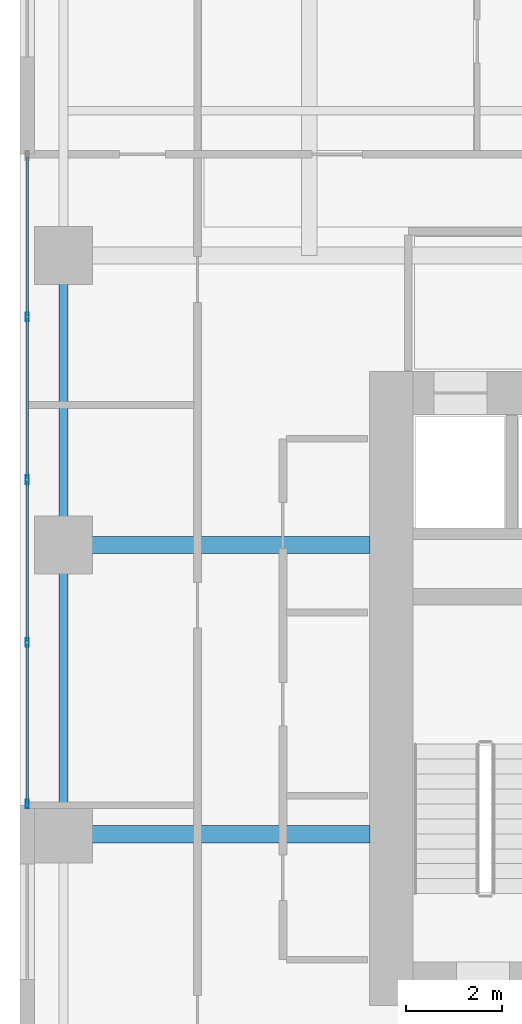
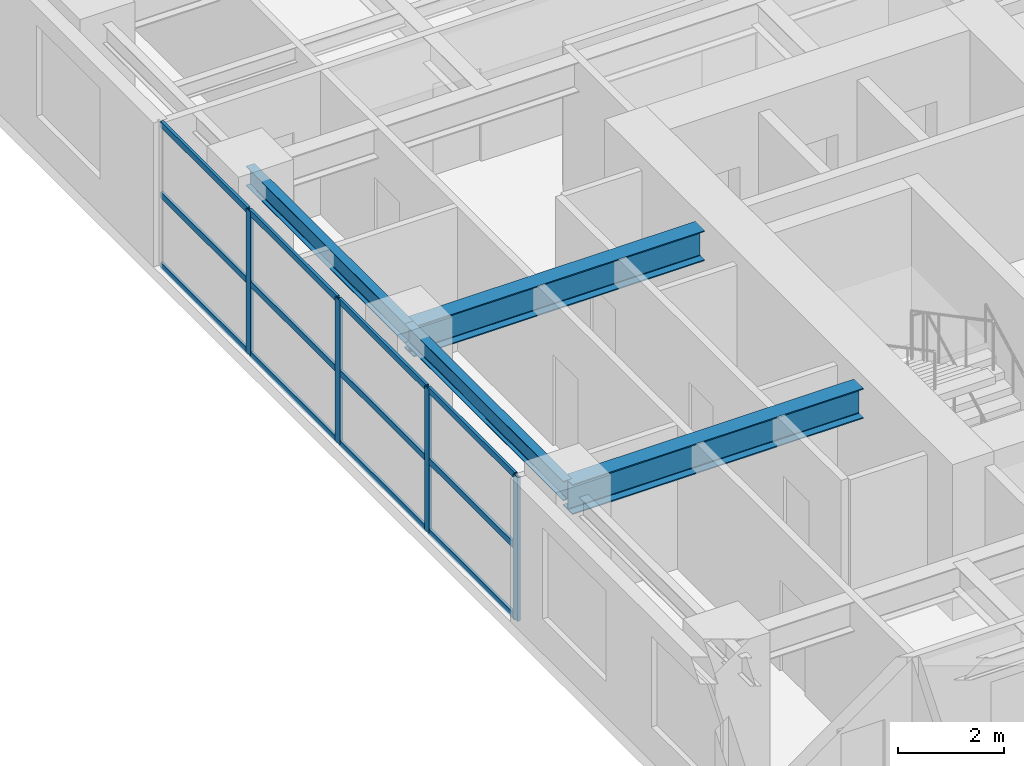
# One storey, part 2 of 19: 16 members, 4 beams, 1 element without a shape of its own.
"""IFC4 building model written with IfcOpenShell, lengths in metres."""

from ifc_helpers import new_model, si_unit, direction, frame, origin, origin_2d, place, context, subcontext, project, spatial, hollow_rectangle, i_section, extrude, source, transform, mapped, material, layer, layer_set, material_profile, profile_set, type_object, element, aggregate, save


model = new_model("IFC4")

# Units and contexts
model_context = context("Model", 3, precision=1e-05, world=origin(), true_north=direction((0.0, 1.0)))
body_context = subcontext(model_context, "Body", "Model", "MODEL_VIEW")
ifc_project = project(units=[si_unit("LENGTHUNIT", "METRE"), si_unit("AREAUNIT", "SQUARE_METRE"), si_unit("VOLUMEUNIT", "CUBIC_METRE"), si_unit("PLANEANGLEUNIT", "RADIAN"), si_unit("MASSUNIT", "GRAM", prefix="KILO")], contexts=[model_context])

# Site, building, storey
site_placement = place(None, origin())
site = spatial("IfcSite", under=ifc_project, at=site_placement, CompositionType="ELEMENT")
building_placement = place(site_placement, origin())
building = spatial("IfcBuilding", under=site, at=building_placement, Name="Khoralis Quay Care Tower", CompositionType="ELEMENT")
storey_placement = place(building_placement, frame((0.0, 0.0, 69.300048828125)))
storey = spatial("IfcBuildingStorey", under=building, at=storey_placement, Name="L18", CompositionType="ELEMENT", Elevation=69.300048828125)

# Beams
ifc_material_1 = material(Name="Steel S355", Category="steel")
ifc_material_profile_1 = material_profile(ifc_material_1, i_section(OverallWidth=0.18994140625, OverallDepth=0.449951171875, WebThickness=0.009521484375, FlangeThickness=0.0146484375, FilletRadius=0.02099609375, at=origin_2d()), Name="Steel S355")
ifc_profile_set_1 = profile_set([ifc_material_profile_1], Name="Steel S355")
beam_type_1 = type_object("IfcBeamType", Name="BM-IPE450", PredefinedType="SPANDREL", material=ifc_profile_set_1)
shared_shape_1 = source(origin(), body_context, "Body", "SweptSolid", [
    extrude(i_section(OverallWidth=0.18994140625, OverallDepth=0.449951171875, WebThickness=0.009521484375, FlangeThickness=0.0146484375, FilletRadius=0.02099609375, at=origin_2d()), origin(), (0.0, 0.0, 1.0), 6.0),
])
for number, where, z_axis, x_axis, name in (
    (1, (0.89990234375, 18.0, 3.094970703125), (0.0, 1.0, 0.0), (-1.0, 0.0, 0.0), "BM-TSP-L18-15"),
    (2, (0.89990234375, 24.0, 3.094970703125), (0.0, 1.0, 0.0), (-1.0, 0.0, 0.0), "BM-TSP-L18-16"),
):
    element("IfcBeam", number, at=place(storey_placement, frame(where, z_axis=z_axis, x_axis=x_axis)), inside=storey, type_object=beam_type_1, Name=name, PredefinedType="SPANDREL", context=body_context, shape_type="MappedRepresentation", body=[
        mapped(shared_shape_1, transform((0.0, 0.0, 0.0), scale=1.0)),
    ])
ifc_material_profile_2 = material_profile(ifc_material_1, i_section(OverallWidth=0.35498046875, OverallDepth=0.695068359375, WebThickness=0.015380859375, FlangeThickness=0.02490234375, FilletRadius=0.02001953125, at=origin_2d()), Name="Steel S355")
ifc_profile_set_2 = profile_set([ifc_material_profile_2], Name="Steel S355")
beam_type_2 = type_object("IfcBeamType", Name="BM-W690X217", PredefinedType="BEAM", material=ifc_profile_set_2)
shared_shape_2 = source(origin(), body_context, "Body", "SweptSolid", [
    extrude(i_section(OverallWidth=0.35498046875, OverallDepth=0.695068359375, WebThickness=0.015380859375, FlangeThickness=0.02490234375, FilletRadius=0.02001953125, at=origin_2d()), origin(), (0.0, 0.0, 1.0), 6.35205078125),
])
for number, where, z_axis, x_axis, name in (
    (3, (0.89990234375, 18.0, 2.972412109375), (1.0, 0.0, 0.0), (0.0, 1.0, 0.0), "BM-TGXW-L18-180"),
    (4, (0.89990234375, 24.0, 2.972412109375), (1.0, 0.0, 0.0), (0.0, 1.0, 0.0), "BM-TGXW-L18-240"),
):
    element("IfcBeam", number, at=place(storey_placement, frame(where, z_axis=z_axis, x_axis=x_axis)), inside=storey, type_object=beam_type_2, Name=name, PredefinedType="BEAM", context=body_context, shape_type="MappedRepresentation", body=[
        mapped(shared_shape_2, transform((0.0, 0.0, 0.0), scale=1.0)),
    ])

# Curtain wall, members
ifc_material_2 = material(Name="Pale anodised aluminium", Category="aluminium")
ifc_layer = layer(ifc_material_2, 0.179931640625)
ifc_layer_set = layer_set([ifc_layer], Name="Pale anodised aluminium")
curtain_wall_type = type_object("IfcCurtainWallType", Name="CW-SYS-Z1", PredefinedType="NOTDEFINED", material=ifc_layer_set)
curtain_wall_placement = place(storey_placement, origin())
curtain_wall = element("IfcCurtainWall", 5, at=curtain_wall_placement, inside=storey, type_object=curtain_wall_type, Name="L18 Unitised Curtain Wall CW-L18-P1-E15", PredefinedType="NOTDEFINED")
ifc_material_profile_3 = material_profile(ifc_material_2, hollow_rectangle(XDim=0.06494140625, YDim=0.179931640625, WallThickness=0.00390625, at=origin_2d()), Name="Pale anodised aluminium")
ifc_profile_set_3 = profile_set([ifc_material_profile_3], Name="Pale anodised aluminium")
member_type_1 = type_object("IfcMemberType", Name="CW-MUL-180", PredefinedType="MULLION", material=ifc_profile_set_3)
shared_shape_3 = source(origin(), body_context, "Body", "SweptSolid", [
    extrude(hollow_rectangle(XDim=0.06494140625, YDim=0.179931640625, WallThickness=0.00390625, at=origin_2d()), origin(), (0.0, 0.0, 1.0), 3.320068359375),
])
member_1_placement = place(storey_placement, frame((0.14990234375, 28.72509765625, 0.0), z_axis=(0.0, 0.0, 1.0), x_axis=(1.0, 0.0, 0.0)))
member_1 = element("IfcMember", 6, at=member_1_placement, type_object=member_type_1, Name="CW1 mullion 2", PredefinedType="MULLION", context=body_context, shape_type="MappedRepresentation", body=[
    mapped(shared_shape_3, transform((0.0, 0.0, 0.0), scale=1.0)),
])
member_2_placement = place(storey_placement, frame((0.14990234375, 25.35009765625, 0.0), z_axis=(0.0, 0.0, 1.0), x_axis=(1.0, 0.0, 0.0)))
member_2 = element("IfcMember", 7, at=member_2_placement, type_object=member_type_1, Name="CW1 mullion 3", PredefinedType="MULLION", context=body_context, shape_type="MappedRepresentation", body=[
    mapped(shared_shape_3, transform((0.0, 0.0, 0.0), scale=1.0)),
])
member_3_placement = place(storey_placement, frame((0.14990234375, 21.97509765625, 0.0), z_axis=(0.0, 0.0, 1.0), x_axis=(1.0, 0.0, 0.0)))
member_3 = element("IfcMember", 8, at=member_3_placement, type_object=member_type_1, Name="CW1 mullion 4", PredefinedType="MULLION", context=body_context, shape_type="MappedRepresentation", body=[
    mapped(shared_shape_3, transform((0.0, 0.0, 0.0), scale=1.0)),
])
member_4_placement = place(storey_placement, frame((0.14990234375, 18.6298828125, 0.0), z_axis=(0.0, 0.0, 1.0), x_axis=(1.0, 0.0, 0.0)))
member_4 = element("IfcMember", 9, at=member_4_placement, type_object=member_type_1, Name="CW1 mullion 5", PredefinedType="MULLION", context=body_context, shape_type="MappedRepresentation", body=[
    mapped(shared_shape_3, transform((0.0, 0.0, 0.0), scale=1.0)),
])
ifc_material_profile_4 = material_profile(ifc_material_2, hollow_rectangle(XDim=0.06005859375, YDim=0.139892578125, WallThickness=0.00390625, at=origin_2d()), Name="Pale anodised aluminium")
ifc_profile_set_4 = profile_set([ifc_material_profile_4], Name="Pale anodised aluminium")
member_type_2 = type_object("IfcMemberType", Name="CW-TRN-140", PredefinedType="USERDEFINED", material=ifc_profile_set_4)
shared_shape_4 = source(origin(), body_context, "Body", "SweptSolid", [
    extrude(hollow_rectangle(XDim=0.06005859375, YDim=0.139892578125, WallThickness=0.00390625, at=origin_2d()), origin(), (0.0, 0.0, 1.0), 3.28515625),
])
member_5_placement = place(storey_placement, frame((0.14990234375, 32.0400390625, 0.030029296875), z_axis=(0.0, -1.0, 0.0), x_axis=(1.0, 0.0, 0.0)))
member_5 = element("IfcMember", 10, at=member_5_placement, type_object=member_type_2, Name="CW1 transom 1.1", ObjectType="TRANSOM", PredefinedType="USERDEFINED", context=body_context, shape_type="MappedRepresentation", body=[
    mapped(shared_shape_4, transform((0.0, 0.0, 0.0), scale=1.0)),
])
member_6_placement = place(storey_placement, frame((0.14990234375, 32.0400390625, 1.659912109375), z_axis=(0.0, -1.0, 0.0), x_axis=(1.0, 0.0, 0.0)))
member_6 = element("IfcMember", 11, at=member_6_placement, type_object=member_type_2, Name="CW1 transom 1.2", ObjectType="TRANSOM", PredefinedType="USERDEFINED", context=body_context, shape_type="MappedRepresentation", body=[
    mapped(shared_shape_4, transform((0.0, 0.0, 0.0), scale=1.0)),
])
member_7_placement = place(storey_placement, frame((0.14990234375, 32.0400390625, 3.2900390625), z_axis=(0.0, -1.0, 0.0), x_axis=(1.0, 0.0, 0.0)))
member_7 = element("IfcMember", 12, at=member_7_placement, type_object=member_type_2, Name="CW1 transom 1.3", ObjectType="TRANSOM", PredefinedType="USERDEFINED", context=body_context, shape_type="MappedRepresentation", body=[
    mapped(shared_shape_4, transform((0.0, 0.0, 0.0), scale=1.0)),
])
member_8_placement = place(storey_placement, frame((0.14990234375, 21.945068359375, 0.030029296875), z_axis=(0.0, -1.0, 0.0), x_axis=(1.0, 0.0, 0.0)))
member_8 = element("IfcMember", 13, at=member_8_placement, type_object=member_type_2, Name="CW1 transom 4.1", ObjectType="TRANSOM", PredefinedType="USERDEFINED", context=body_context, shape_type="MappedRepresentation", body=[
    mapped(shared_shape_4, transform((0.0, 0.0, 0.0), scale=1.0)),
])
member_9_placement = place(storey_placement, frame((0.14990234375, 21.945068359375, 1.659912109375), z_axis=(0.0, -1.0, 0.0), x_axis=(1.0, 0.0, 0.0)))
member_9 = element("IfcMember", 14, at=member_9_placement, type_object=member_type_2, Name="CW1 transom 4.2", ObjectType="TRANSOM", PredefinedType="USERDEFINED", context=body_context, shape_type="MappedRepresentation", body=[
    mapped(shared_shape_4, transform((0.0, 0.0, 0.0), scale=1.0)),
])
member_10_placement = place(storey_placement, frame((0.14990234375, 21.945068359375, 3.2900390625), z_axis=(0.0, -1.0, 0.0), x_axis=(1.0, 0.0, 0.0)))
member_10 = element("IfcMember", 15, at=member_10_placement, type_object=member_type_2, Name="CW1 transom 4.3", ObjectType="TRANSOM", PredefinedType="USERDEFINED", context=body_context, shape_type="MappedRepresentation", body=[
    mapped(shared_shape_4, transform((0.0, 0.0, 0.0), scale=1.0)),
])
shared_shape_5 = source(origin(), body_context, "Body", "SweptSolid", [
    extrude(hollow_rectangle(XDim=0.06005859375, YDim=0.139892578125, WallThickness=0.00390625, at=origin_2d()), origin(), (0.0, 0.0, 1.0), 3.315185546875),
])
member_11_placement = place(storey_placement, frame((0.14990234375, 28.695068359375, 0.030029296875), z_axis=(0.0, -1.0, 0.0), x_axis=(1.0, 0.0, 0.0)))
member_11 = element("IfcMember", 16, at=member_11_placement, type_object=member_type_2, Name="CW1 transom 2.1", ObjectType="TRANSOM", PredefinedType="USERDEFINED", context=body_context, shape_type="MappedRepresentation", body=[
    mapped(shared_shape_5, transform((0.0, 0.0, 0.0), scale=1.0)),
])
member_12_placement = place(storey_placement, frame((0.14990234375, 28.695068359375, 1.659912109375), z_axis=(0.0, -1.0, 0.0), x_axis=(1.0, 0.0, 0.0)))
member_12 = element("IfcMember", 17, at=member_12_placement, type_object=member_type_2, Name="CW1 transom 2.2", ObjectType="TRANSOM", PredefinedType="USERDEFINED", context=body_context, shape_type="MappedRepresentation", body=[
    mapped(shared_shape_5, transform((0.0, 0.0, 0.0), scale=1.0)),
])
member_13_placement = place(storey_placement, frame((0.14990234375, 28.695068359375, 3.2900390625), z_axis=(0.0, -1.0, 0.0), x_axis=(1.0, 0.0, 0.0)))
member_13 = element("IfcMember", 18, at=member_13_placement, type_object=member_type_2, Name="CW1 transom 2.3", ObjectType="TRANSOM", PredefinedType="USERDEFINED", context=body_context, shape_type="MappedRepresentation", body=[
    mapped(shared_shape_5, transform((0.0, 0.0, 0.0), scale=1.0)),
])
member_14_placement = place(storey_placement, frame((0.14990234375, 25.320068359375, 0.030029296875), z_axis=(0.0, -1.0, 0.0), x_axis=(1.0, 0.0, 0.0)))
member_14 = element("IfcMember", 19, at=member_14_placement, type_object=member_type_2, Name="CW1 transom 3.1", ObjectType="TRANSOM", PredefinedType="USERDEFINED", context=body_context, shape_type="MappedRepresentation", body=[
    mapped(shared_shape_5, transform((0.0, 0.0, 0.0), scale=1.0)),
])
member_15_placement = place(storey_placement, frame((0.14990234375, 25.320068359375, 1.659912109375), z_axis=(0.0, -1.0, 0.0), x_axis=(1.0, 0.0, 0.0)))
member_15 = element("IfcMember", 20, at=member_15_placement, type_object=member_type_2, Name="CW1 transom 3.2", ObjectType="TRANSOM", PredefinedType="USERDEFINED", context=body_context, shape_type="MappedRepresentation", body=[
    mapped(shared_shape_5, transform((0.0, 0.0, 0.0), scale=1.0)),
])
member_16_placement = place(storey_placement, frame((0.14990234375, 25.320068359375, 3.2900390625), z_axis=(0.0, -1.0, 0.0), x_axis=(1.0, 0.0, 0.0)))
member_16 = element("IfcMember", 21, at=member_16_placement, type_object=member_type_2, Name="CW1 transom 3.3", ObjectType="TRANSOM", PredefinedType="USERDEFINED", context=body_context, shape_type="MappedRepresentation", body=[
    mapped(shared_shape_5, transform((0.0, 0.0, 0.0), scale=1.0)),
])
aggregate(curtain_wall, [member_1, member_2, member_3, member_4, member_5, member_6, member_7, member_11, member_12, member_13, member_14, member_15, member_16, member_8, member_9, member_10])

save(model, "model.ifc")
